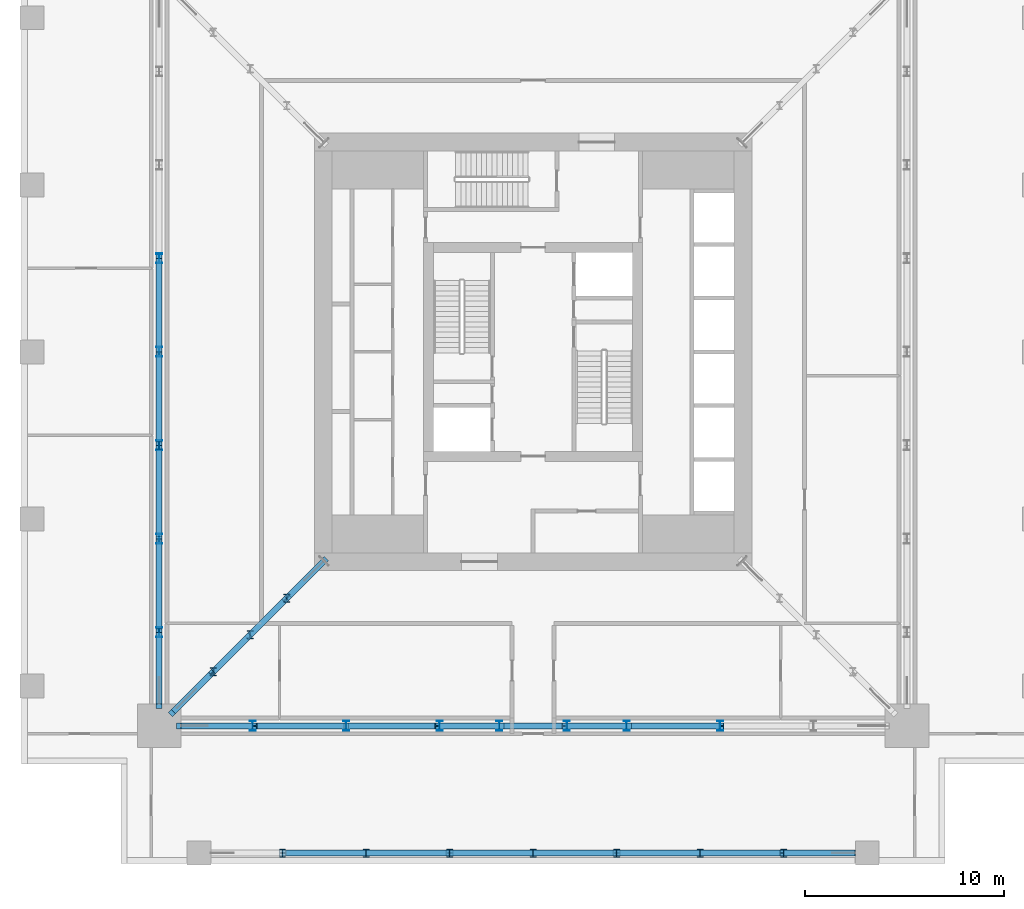
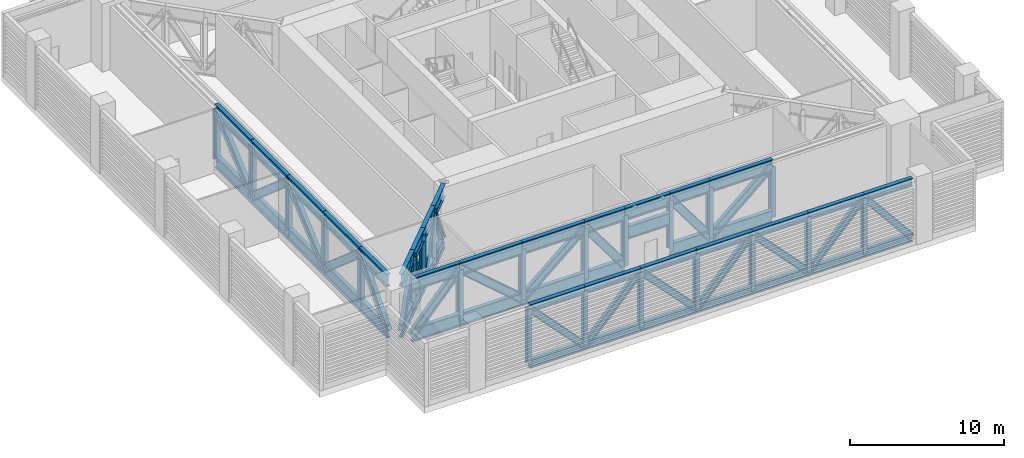
# One storey, part 2 of 16: 90 members.
"""IFC4 building model written with IfcOpenShell, lengths in metres."""

from ifc_helpers import new_model, si_unit, direction, frame, origin, origin_2d, place, context, subcontext, project, spatial, i_section, extrude, material, material_profile, profile_set, type_object, element, save


model = new_model("IFC4")

# Units and contexts
model_context = context("Model", 3, precision=1e-05, world=origin(), true_north=direction((0.0, 1.0)))
body_context = subcontext(model_context, "Body", "Model", "MODEL_VIEW")
ifc_project = project(units=[si_unit("LENGTHUNIT", "METRE"), si_unit("AREAUNIT", "SQUARE_METRE"), si_unit("VOLUMEUNIT", "CUBIC_METRE"), si_unit("PLANEANGLEUNIT", "RADIAN"), si_unit("MASSUNIT", "GRAM", prefix="KILO")], contexts=[model_context])

# Site, building, storey
site_placement = place(None, origin())
site = spatial("IfcSite", under=ifc_project, at=site_placement, CompositionType="ELEMENT")
building_placement = place(site_placement, origin())
building = spatial("IfcBuilding", under=site, at=building_placement, Name="Khepri Terraces", CompositionType="ELEMENT")
storey_placement = place(building_placement, frame((0.0, 0.0, 287.39990234375)))
storey = spatial("IfcBuildingStorey", under=building, at=storey_placement, Name="L69", CompositionType="ELEMENT", Elevation=287.39990234375)

# Members
ifc_material = material(Name="Steel S355", Category="steel")
ifc_material_profile_1 = material_profile(ifc_material, i_section(OverallWidth=0.302001953125, OverallDepth=1.008056640625, WebThickness=0.02099609375, FlangeThickness=0.0400390625, FilletRadius=0.030029296875, at=origin_2d()), Name="Steel S355", Category="steel")
ifc_profile_set_1 = profile_set([ifc_material_profile_1], Name="Steel S355")
member_type_1 = type_object("IfcMemberType", Name="Belt truss chord HEM 1000", PredefinedType="CHORD", material=ifc_profile_set_1)
for number, where, z_axis, x_axis, name in (
    (1, (-17.699951171875, -18.800048828125, 0.504150390625), (1.0, 0.0, 0.0), (0.0, 1.0, 0.0), "Belt truss chord BT-69-S bottom 1"),
    (2, (-17.699951171875, -18.800048828125, 4.546142578125), (1.0, 0.0, 0.0), (0.0, 1.0, 0.0), "Belt truss chord BT-69-S top 1"),
):
    element("IfcMember", number, at=place(storey_placement, frame(where, z_axis=z_axis, x_axis=x_axis)), inside=storey, type_object=member_type_1, Name=name, PredefinedType="CHORD", context=body_context, shape_type="SweptSolid", body=[
        extrude(i_section(OverallWidth=0.302001953125, OverallDepth=1.008056640625, WebThickness=0.02099609375, FlangeThickness=0.0400390625, FilletRadius=0.030029296875, at=origin_2d()), origin(), (0.0, 0.0, 1.0), 3.599853515625),
    ])
for number, where, z_axis, x_axis, name in (
    (3, (-14.10009765625, -18.800048828125, 0.504150390625), (1.0, 0.0, 0.0), (0.0, 1.0, 0.0), "Belt truss chord BT-69-S bottom 2"),
    (4, (-14.10009765625, -18.800048828125, 4.546142578125), (1.0, 0.0, 0.0), (0.0, 1.0, 0.0), "Belt truss chord BT-69-S top 2"),
):
    element("IfcMember", number, at=place(storey_placement, frame(where, z_axis=z_axis, x_axis=x_axis)), inside=storey, type_object=member_type_1, Name=name, PredefinedType="CHORD", context=body_context, shape_type="SweptSolid", body=[
        extrude(i_section(OverallWidth=0.302001953125, OverallDepth=1.008056640625, WebThickness=0.02099609375, FlangeThickness=0.0400390625, FilletRadius=0.030029296875, at=origin_2d()), origin(), (0.0, 0.0, 1.0), 4.7001953125),
    ])
for number, where, z_axis, x_axis, name in (
    (5, (-9.39990234375, -18.800048828125, 0.504150390625), (1.0, 0.0, 0.0), (0.0, 1.0, 0.0), "Belt truss chord BT-69-S bottom 3"),
    (6, (-9.39990234375, -18.800048828125, 4.546142578125), (1.0, 0.0, 0.0), (0.0, 1.0, 0.0), "Belt truss chord BT-69-S top 3"),
):
    element("IfcMember", number, at=place(storey_placement, frame(where, z_axis=z_axis, x_axis=x_axis)), inside=storey, type_object=member_type_1, Name=name, PredefinedType="CHORD", context=body_context, shape_type="SweptSolid", body=[
        extrude(i_section(OverallWidth=0.302001953125, OverallDepth=1.008056640625, WebThickness=0.02099609375, FlangeThickness=0.0400390625, FilletRadius=0.030029296875, at=origin_2d()), origin(), (0.0, 0.0, 1.0), 4.699951171875),
    ])
for number, where, z_axis, x_axis, name in (
    (7, (-4.699951171875, -18.800048828125, 0.504150390625), (1.0, 0.0, 0.0), (0.0, 1.0, 0.0), "Belt truss chord BT-69-S bottom 4"),
    (8, (-4.699951171875, -18.800048828125, 4.546142578125), (1.0, 0.0, 0.0), (0.0, 1.0, 0.0), "Belt truss chord BT-69-S top 4"),
):
    element("IfcMember", number, at=place(storey_placement, frame(where, z_axis=z_axis, x_axis=x_axis)), inside=storey, type_object=member_type_1, Name=name, PredefinedType="CHORD", context=body_context, shape_type="SweptSolid", body=[
        extrude(i_section(OverallWidth=0.302001953125, OverallDepth=1.008056640625, WebThickness=0.02099609375, FlangeThickness=0.0400390625, FilletRadius=0.030029296875, at=origin_2d()), origin(), (0.0, 0.0, 1.0), 3.0),
    ])
for number, where, z_axis, x_axis, name in (
    (9, (-1.699951171875, -18.800048828125, 3.004150390625), (1.0, 0.0, 0.0), (0.0, 1.0, 0.0), "Belt truss chord BT-69-S bottom 5"),
    (10, (-1.699951171875, -18.800048828125, 4.546142578125), (1.0, 0.0, 0.0), (0.0, 1.0, 0.0), "Belt truss chord BT-69-S top 5"),
):
    element("IfcMember", number, at=place(storey_placement, frame(where, z_axis=z_axis, x_axis=x_axis)), inside=storey, type_object=member_type_1, Name=name, PredefinedType="CHORD", context=body_context, shape_type="SweptSolid", body=[
        extrude(i_section(OverallWidth=0.302001953125, OverallDepth=1.008056640625, WebThickness=0.02099609375, FlangeThickness=0.0400390625, FilletRadius=0.030029296875, at=origin_2d()), origin(), (0.0, 0.0, 1.0), 3.39990234375),
    ])
for number, where, z_axis, x_axis, name in (
    (11, (1.699951171875, -18.800048828125, 0.504150390625), (1.0, 0.0, 0.0), (0.0, 1.0, 0.0), "Belt truss chord BT-69-S bottom 6"),
    (12, (1.699951171875, -18.800048828125, 4.546142578125), (1.0, 0.0, 0.0), (0.0, 1.0, 0.0), "Belt truss chord BT-69-S top 6"),
):
    element("IfcMember", number, at=place(storey_placement, frame(where, z_axis=z_axis, x_axis=x_axis)), inside=storey, type_object=member_type_1, Name=name, PredefinedType="CHORD", context=body_context, shape_type="SweptSolid", body=[
        extrude(i_section(OverallWidth=0.302001953125, OverallDepth=1.008056640625, WebThickness=0.02099609375, FlangeThickness=0.0400390625, FilletRadius=0.030029296875, at=origin_2d()), origin(), (0.0, 0.0, 1.0), 3.0),
    ])
for number, where, z_axis, x_axis, name in (
    (13, (4.699951171875, -18.800048828125, 0.504150390625), (1.0, 0.0, 0.0), (0.0, 1.0, 0.0), "Belt truss chord BT-69-S bottom 7"),
    (14, (4.699951171875, -18.800048828125, 4.546142578125), (1.0, 0.0, 0.0), (0.0, 1.0, 0.0), "Belt truss chord BT-69-S top 7"),
    (15, (-18.800048828125, 4.699951171875, 0.504150390625), (0.0, -1.0, 0.0), (1.0, 0.0, 0.0), "Belt truss chord BT-69-W bottom 4"),
    (16, (-18.800048828125, 4.699951171875, 4.546142578125), (0.0, -1.0, 0.0), (1.0, 0.0, 0.0), "Belt truss chord BT-69-W top 4"),
    (17, (-18.800048828125, 0.0, 0.504150390625), (0.0, -1.0, 0.0), (1.0, 0.0, 0.0), "Belt truss chord BT-69-W bottom 5"),
    (18, (-18.800048828125, 0.0, 4.546142578125), (0.0, -1.0, 0.0), (1.0, 0.0, 0.0), "Belt truss chord BT-69-W top 5"),
    (19, (-18.800048828125, -4.699951171875, 0.504150390625), (0.0, -1.0, 0.0), (1.0, 0.0, 0.0), "Belt truss chord BT-69-W bottom 6"),
    (20, (-18.800048828125, -4.699951171875, 4.546142578125), (0.0, -1.0, 0.0), (1.0, 0.0, 0.0), "Belt truss chord BT-69-W top 6"),
):
    element("IfcMember", number, at=place(storey_placement, frame(where, z_axis=z_axis, x_axis=x_axis)), inside=storey, type_object=member_type_1, Name=name, PredefinedType="CHORD", context=body_context, shape_type="SweptSolid", body=[
        extrude(i_section(OverallWidth=0.302001953125, OverallDepth=1.008056640625, WebThickness=0.02099609375, FlangeThickness=0.0400390625, FilletRadius=0.030029296875, at=origin_2d()), origin(), (0.0, 0.0, 1.0), 4.699951171875),
    ])
for number, where, z_axis, x_axis, name in (
    (21, (-18.800048828125, -9.39990234375, 0.504150390625), (0.0, -1.0, 0.0), (1.0, 0.0, 0.0), "Belt truss chord BT-69-W bottom 7"),
    (22, (-18.800048828125, -9.39990234375, 4.546142578125), (0.0, -1.0, 0.0), (1.0, 0.0, 0.0), "Belt truss chord BT-69-W top 7"),
):
    element("IfcMember", number, at=place(storey_placement, frame(where, z_axis=z_axis, x_axis=x_axis)), inside=storey, type_object=member_type_1, Name=name, PredefinedType="CHORD", context=body_context, shape_type="SweptSolid", body=[
        extrude(i_section(OverallWidth=0.302001953125, OverallDepth=1.008056640625, WebThickness=0.02099609375, FlangeThickness=0.0400390625, FilletRadius=0.030029296875, at=origin_2d()), origin(), (0.0, 0.0, 1.0), 4.7001953125),
    ])
for number, where, z_axis, x_axis, name in (
    (23, (-18.800048828125, -14.10009765625, 0.504150390625), (0.0, -1.0, 0.0), (1.0, 0.0, 0.0), "Belt truss chord BT-69-W bottom 8"),
    (24, (-18.800048828125, -14.10009765625, 4.546142578125), (0.0, -1.0, 0.0), (1.0, 0.0, 0.0), "Belt truss chord BT-69-W top 8"),
):
    element("IfcMember", number, at=place(storey_placement, frame(where, z_axis=z_axis, x_axis=x_axis)), inside=storey, type_object=member_type_1, Name=name, PredefinedType="CHORD", context=body_context, shape_type="SweptSolid", body=[
        extrude(i_section(OverallWidth=0.302001953125, OverallDepth=1.008056640625, WebThickness=0.02099609375, FlangeThickness=0.0400390625, FilletRadius=0.030029296875, at=origin_2d()), origin(), (0.0, 0.0, 1.0), 3.599853515625),
    ])
ifc_material_profile_2 = material_profile(ifc_material, i_section(OverallWidth=0.304931640625, OverallDepth=0.6201171875, WebThickness=0.02099609375, FlangeThickness=0.0400390625, FilletRadius=0.027099609375, at=origin_2d()), Name="Steel S355", Category="steel")
ifc_profile_set_2 = profile_set([ifc_material_profile_2], Name="Steel S355")
member_type_2 = type_object("IfcMemberType", Name="Belt truss diagonal HEM 600", PredefinedType="BRACE", material=ifc_profile_set_2)
member_1_placement = place(storey_placement, frame((-17.699951171875, -18.800048828125, 0.504150390625), z_axis=(0.665083044122, 0.0, 0.746769405119), x_axis=(0.0, 1.0, 0.0)))
element("IfcMember", 25, at=member_1_placement, inside=storey, type_object=member_type_2, Name="Belt truss diagonal BT-69-S 1", PredefinedType="BRACE", context=body_context, shape_type="SweptSolid", body=[
    extrude(i_section(OverallWidth=0.304931640625, OverallDepth=0.6201171875, WebThickness=0.02099609375, FlangeThickness=0.0400390625, FilletRadius=0.027099609375, at=origin_2d()), origin(), (0.0, 0.0, 1.0), 5.41259765625),
])
member_2_placement = place(storey_placement, frame((-14.10009765625, -18.800048828125, 4.546142578125), z_axis=(0.758199214232, 0.0, -0.652022968566), x_axis=(0.0, 1.0, 0.0)))
element("IfcMember", 26, at=member_2_placement, inside=storey, type_object=member_type_2, Name="Belt truss diagonal BT-69-S 2", PredefinedType="BRACE", context=body_context, shape_type="SweptSolid", body=[
    extrude(i_section(OverallWidth=0.304931640625, OverallDepth=0.6201171875, WebThickness=0.02099609375, FlangeThickness=0.0400390625, FilletRadius=0.027099609375, at=origin_2d()), origin(), (0.0, 0.0, 1.0), 6.19921875),
])
member_3_placement = place(storey_placement, frame((-9.39990234375, -18.800048828125, 0.504150390625), z_axis=(0.758182470483, 0.0, 0.652042438383), x_axis=(0.0, 1.0, 0.0)))
element("IfcMember", 27, at=member_3_placement, inside=storey, type_object=member_type_2, Name="Belt truss diagonal BT-69-S 3", PredefinedType="BRACE", context=body_context, shape_type="SweptSolid", body=[
    extrude(i_section(OverallWidth=0.304931640625, OverallDepth=0.6201171875, WebThickness=0.02099609375, FlangeThickness=0.0400390625, FilletRadius=0.027099609375, at=origin_2d()), origin(), (0.0, 0.0, 1.0), 6.198974609375),
])
for number, where, z_axis, x_axis, name in (
    (28, (-4.699951171875, -18.800048828125, 4.546142578125), (0.595988188196, 0.0, -0.802993200177), (0.0, 1.0, 0.0), "Belt truss diagonal BT-69-S 4"),
    (29, (1.699951171875, -18.800048828125, 4.546142578125), (0.595988188196, 0.0, -0.802993200177), (0.0, 1.0, 0.0), "Belt truss diagonal BT-69-S 6"),
):
    element("IfcMember", number, at=place(storey_placement, frame(where, z_axis=z_axis, x_axis=x_axis)), inside=storey, type_object=member_type_2, Name=name, PredefinedType="BRACE", context=body_context, shape_type="SweptSolid", body=[
        extrude(i_section(OverallWidth=0.304931640625, OverallDepth=0.6201171875, WebThickness=0.02099609375, FlangeThickness=0.0400390625, FilletRadius=0.027099609375, at=origin_2d()), origin(), (0.0, 0.0, 1.0), 5.03369140625),
    ])
for number, where, z_axis, x_axis, name in (
    (30, (4.699951171875, -18.800048828125, 0.504150390625), (0.758182470483, 0.0, 0.652042438383), (0.0, 1.0, 0.0), "Belt truss diagonal BT-69-S 7"),
    (31, (-18.800048828125, 4.699951171875, 4.546142578125), (0.0, -0.758182470483, -0.652042438383), (1.0, 0.0, 0.0), "Belt truss diagonal BT-69-W 4"),
    (32, (-18.800048828125, 0.0, 0.504150390625), (0.0, -0.758182470483, 0.652042438383), (1.0, 0.0, 0.0), "Belt truss diagonal BT-69-W 5"),
    (33, (-18.800048828125, -4.699951171875, 4.546142578125), (0.0, -0.758182470483, -0.652042438383), (1.0, 0.0, 0.0), "Belt truss diagonal BT-69-W 6"),
):
    element("IfcMember", number, at=place(storey_placement, frame(where, z_axis=z_axis, x_axis=x_axis)), inside=storey, type_object=member_type_2, Name=name, PredefinedType="BRACE", context=body_context, shape_type="SweptSolid", body=[
        extrude(i_section(OverallWidth=0.304931640625, OverallDepth=0.6201171875, WebThickness=0.02099609375, FlangeThickness=0.0400390625, FilletRadius=0.027099609375, at=origin_2d()), origin(), (0.0, 0.0, 1.0), 6.198974609375),
    ])
member_4_placement = place(storey_placement, frame((-18.800048828125, -9.39990234375, 0.504150390625), z_axis=(0.0, -0.758199214232, 0.652022968566), x_axis=(1.0, 0.0, 0.0)))
element("IfcMember", 34, at=member_4_placement, inside=storey, type_object=member_type_2, Name="Belt truss diagonal BT-69-W 7", PredefinedType="BRACE", context=body_context, shape_type="SweptSolid", body=[
    extrude(i_section(OverallWidth=0.304931640625, OverallDepth=0.6201171875, WebThickness=0.02099609375, FlangeThickness=0.0400390625, FilletRadius=0.027099609375, at=origin_2d()), origin(), (0.0, 0.0, 1.0), 6.19921875),
])
member_5_placement = place(storey_placement, frame((-18.800048828125, -14.10009765625, 4.546142578125), z_axis=(0.0, -0.665083044122, -0.746769405119), x_axis=(1.0, 0.0, 0.0)))
element("IfcMember", 35, at=member_5_placement, inside=storey, type_object=member_type_2, Name="Belt truss diagonal BT-69-W 8", PredefinedType="BRACE", context=body_context, shape_type="SweptSolid", body=[
    extrude(i_section(OverallWidth=0.304931640625, OverallDepth=0.6201171875, WebThickness=0.02099609375, FlangeThickness=0.0400390625, FilletRadius=0.027099609375, at=origin_2d()), origin(), (0.0, 0.0, 1.0), 5.41259765625),
])
ifc_material_profile_3 = material_profile(ifc_material, i_section(OverallWidth=0.300048828125, OverallDepth=0.5, WebThickness=0.014404296875, FlangeThickness=0.028076171875, FilletRadius=0.027099609375, at=origin_2d()), Name="Steel S355", Category="steel")
ifc_profile_set_3 = profile_set([ifc_material_profile_3], Name="Steel S355")
member_type_3 = type_object("IfcMemberType", Name="Belt truss post HEB 500", PredefinedType="POST", material=ifc_profile_set_3)
for number, where, z_axis, x_axis, name in (
    (36, (-14.10009765625, -18.800048828125, 0.504150390625), (0.0, 0.0, 1.0), (1.0, 0.0, 0.0), "Belt truss post BT-69-S 1"),
    (37, (-9.39990234375, -18.800048828125, 0.504150390625), (0.0, 0.0, 1.0), (1.0, 0.0, 0.0), "Belt truss post BT-69-S 2"),
    (38, (-4.699951171875, -18.800048828125, 0.504150390625), (0.0, 0.0, 1.0), (1.0, 0.0, 0.0), "Belt truss post BT-69-S 3"),
    (39, (-1.699951171875, -18.800048828125, 0.504150390625), (0.0, 0.0, 1.0), (1.0, 0.0, 0.0), "Belt truss post BT-69-S 4"),
    (40, (1.699951171875, -18.800048828125, 0.504150390625), (0.0, 0.0, 1.0), (1.0, 0.0, 0.0), "Belt truss post BT-69-S 5"),
    (41, (4.699951171875, -18.800048828125, 0.504150390625), (0.0, 0.0, 1.0), (1.0, 0.0, 0.0), "Belt truss post BT-69-S 6"),
    (42, (9.39990234375, -18.800048828125, 0.504150390625), (0.0, 0.0, 1.0), (1.0, 0.0, 0.0), "Belt truss post BT-69-S 7"),
    (43, (-18.800048828125, 4.699951171875, 0.504150390625), (0.0, 0.0, 1.0), (1.0, 0.0, 0.0), "Belt truss post BT-69-W 3"),
    (44, (-18.800048828125, 0.0, 0.504150390625), (0.0, 0.0, 1.0), (1.0, 0.0, 0.0), "Belt truss post BT-69-W 4"),
    (45, (-18.800048828125, -4.699951171875, 0.504150390625), (0.0, 0.0, 1.0), (1.0, 0.0, 0.0), "Belt truss post BT-69-W 5"),
    (46, (-18.800048828125, -9.39990234375, 0.504150390625), (0.0, 0.0, 1.0), (1.0, 0.0, 0.0), "Belt truss post BT-69-W 6"),
    (47, (-18.800048828125, -14.10009765625, 0.504150390625), (0.0, 0.0, 1.0), (1.0, 0.0, 0.0), "Belt truss post BT-69-W 7"),
):
    element("IfcMember", number, at=place(storey_placement, frame(where, z_axis=z_axis, x_axis=x_axis)), inside=storey, type_object=member_type_3, Name=name, PredefinedType="POST", context=body_context, shape_type="SweptSolid", body=[
        extrude(i_section(OverallWidth=0.300048828125, OverallDepth=0.5, WebThickness=0.014404296875, FlangeThickness=0.028076171875, FilletRadius=0.027099609375, at=origin_2d()), origin(), (0.0, 0.0, 1.0), 4.0419921875),
    ])
ifc_material_profile_4 = material_profile(ifc_material, i_section(OverallWidth=0.302001953125, OverallDepth=1.008056640625, WebThickness=0.02099609375, FlangeThickness=0.0400390625, FilletRadius=0.030029296875, at=origin_2d()), Name="Steel S355", Category="steel")
ifc_profile_set_4 = profile_set([ifc_material_profile_4], Name="Steel S355")
member_type_4 = type_object("IfcMemberType", Name="Outrigger chord HEM 1000", PredefinedType="CHORD", material=ifc_profile_set_4)
for number, where, z_axis, x_axis, name in (
    (48, (-10.550048828125, -10.550048828125, 0.504150390625), (-0.707106781187, -0.707106781187, 0.0), (0.707106781187, -0.707106781187, 0.0), "Outrigger chord OT-69-WS bottom 1"),
    (49, (-10.550048828125, -10.550048828125, 4.546142578125), (-0.707106781187, -0.707106781187, 0.0), (0.707106781187, -0.707106781187, 0.0), "Outrigger chord OT-69-WS top 1"),
):
    element("IfcMember", number, at=place(storey_placement, frame(where, z_axis=z_axis, x_axis=x_axis)), inside=storey, type_object=member_type_4, Name=name, PredefinedType="CHORD", context=body_context, shape_type="SweptSolid", body=[
        extrude(i_section(OverallWidth=0.302001953125, OverallDepth=1.008056640625, WebThickness=0.02099609375, FlangeThickness=0.0400390625, FilletRadius=0.030029296875, at=origin_2d()), origin(), (0.0, 0.0, 1.0), 2.6025390625),
    ])
for number, where, z_axis, x_axis, name in (
    (50, (-12.390380859375, -12.390380859375, 0.504150390625), (-0.707106781187, -0.707106781187, 0.0), (0.707106781187, -0.707106781187, 0.0), "Outrigger chord OT-69-WS bottom 2"),
    (51, (-12.390380859375, -12.390380859375, 4.546142578125), (-0.707106781187, -0.707106781187, 0.0), (0.707106781187, -0.707106781187, 0.0), "Outrigger chord OT-69-WS top 2"),
):
    element("IfcMember", number, at=place(storey_placement, frame(where, z_axis=z_axis, x_axis=x_axis)), inside=storey, type_object=member_type_4, Name=name, PredefinedType="CHORD", context=body_context, shape_type="SweptSolid", body=[
        extrude(i_section(OverallWidth=0.302001953125, OverallDepth=1.008056640625, WebThickness=0.02099609375, FlangeThickness=0.0400390625, FilletRadius=0.030029296875, at=origin_2d()), origin(), (0.0, 0.0, 1.0), 2.603271484375),
    ])
for number, where, z_axis, x_axis, name in (
    (52, (-14.231201171875, -14.231201171875, 0.504150390625), (-0.707106781187, -0.707106781187, 0.0), (0.707106781187, -0.707106781187, 0.0), "Outrigger chord OT-69-WS bottom 3"),
    (53, (-14.231201171875, -14.231201171875, 4.546142578125), (-0.707106781187, -0.707106781187, 0.0), (0.707106781187, -0.707106781187, 0.0), "Outrigger chord OT-69-WS top 3"),
):
    element("IfcMember", number, at=place(storey_placement, frame(where, z_axis=z_axis, x_axis=x_axis)), inside=storey, type_object=member_type_4, Name=name, PredefinedType="CHORD", context=body_context, shape_type="SweptSolid", body=[
        extrude(i_section(OverallWidth=0.302001953125, OverallDepth=1.008056640625, WebThickness=0.02099609375, FlangeThickness=0.0400390625, FilletRadius=0.030029296875, at=origin_2d()), origin(), (0.0, 0.0, 1.0), 2.6025390625),
    ])
for number, where, z_axis, x_axis, name in (
    (54, (-16.071533203125, -16.071533203125, 0.504150390625), (-0.707106781187, -0.707106781187, 0.0), (0.707106781187, -0.707106781187, 0.0), "Outrigger chord OT-69-WS bottom 4"),
    (55, (-16.071533203125, -16.071533203125, 4.546142578125), (-0.707106781187, -0.707106781187, 0.0), (0.707106781187, -0.707106781187, 0.0), "Outrigger chord OT-69-WS top 4"),
):
    element("IfcMember", number, at=place(storey_placement, frame(where, z_axis=z_axis, x_axis=x_axis)), inside=storey, type_object=member_type_4, Name=name, PredefinedType="CHORD", context=body_context, shape_type="SweptSolid", body=[
        extrude(i_section(OverallWidth=0.302001953125, OverallDepth=1.008056640625, WebThickness=0.02099609375, FlangeThickness=0.0400390625, FilletRadius=0.030029296875, at=origin_2d()), origin(), (0.0, 0.0, 1.0), 2.85888671875),
    ])
ifc_material_profile_5 = material_profile(ifc_material, i_section(OverallWidth=0.305908203125, OverallDepth=0.52392578125, WebThickness=0.02099609375, FlangeThickness=0.0400390625, FilletRadius=0.027099609375, at=origin_2d()), Name="Steel S355", Category="steel")
ifc_profile_set_5 = profile_set([ifc_material_profile_5], Name="Steel S355")
member_type_5 = type_object("IfcMemberType", Name="Outrigger diagonal HEM 500", PredefinedType="BRACE", material=ifc_profile_set_5)
member_6_placement = place(storey_placement, frame((-10.550048828125, -10.550048828125, 0.504150390625), z_axis=(-0.382810266556, -0.382810266556, 0.840780946286), x_axis=(0.707106781187, -0.707106781187, 0.0)))
element("IfcMember", 56, at=member_6_placement, inside=storey, type_object=member_type_5, Name="Outrigger diagonal OT-69-WS 1", PredefinedType="BRACE", context=body_context, shape_type="SweptSolid", body=[
    extrude(i_section(OverallWidth=0.305908203125, OverallDepth=0.52392578125, WebThickness=0.02099609375, FlangeThickness=0.0400390625, FilletRadius=0.027099609375, at=origin_2d()), origin(), (0.0, 0.0, 1.0), 4.807373046875),
])
member_7_placement = place(storey_placement, frame((-12.390380859375, -12.390380859375, 4.546142578125), z_axis=(-0.38288205797, -0.38288205797, -0.840715563892), x_axis=(0.707106781187, -0.707106781187, 0.0)))
element("IfcMember", 57, at=member_7_placement, inside=storey, type_object=member_type_5, Name="Outrigger diagonal OT-69-WS 2", PredefinedType="BRACE", context=body_context, shape_type="SweptSolid", body=[
    extrude(i_section(OverallWidth=0.305908203125, OverallDepth=0.52392578125, WebThickness=0.02099609375, FlangeThickness=0.0400390625, FilletRadius=0.027099609375, at=origin_2d()), origin(), (0.0, 0.0, 1.0), 4.807861328125),
])
member_8_placement = place(storey_placement, frame((-14.231201171875, -14.231201171875, 0.504150390625), z_axis=(-0.382810266556, -0.382810266556, 0.840780946286), x_axis=(0.707106781187, -0.707106781187, 0.0)))
element("IfcMember", 58, at=member_8_placement, inside=storey, type_object=member_type_5, Name="Outrigger diagonal OT-69-WS 3", PredefinedType="BRACE", context=body_context, shape_type="SweptSolid", body=[
    extrude(i_section(OverallWidth=0.305908203125, OverallDepth=0.52392578125, WebThickness=0.02099609375, FlangeThickness=0.0400390625, FilletRadius=0.027099609375, at=origin_2d()), origin(), (0.0, 0.0, 1.0), 4.807373046875),
])
member_9_placement = place(storey_placement, frame((-16.071533203125, -16.071533203125, 4.546142578125), z_axis=(-0.408314038869, -0.408314038869, -0.81643082458), x_axis=(0.707106781187, -0.707106781187, 0.0)))
element("IfcMember", 59, at=member_9_placement, inside=storey, type_object=member_type_5, Name="Outrigger diagonal OT-69-WS 4", PredefinedType="BRACE", context=body_context, shape_type="SweptSolid", body=[
    extrude(i_section(OverallWidth=0.305908203125, OverallDepth=0.52392578125, WebThickness=0.02099609375, FlangeThickness=0.0400390625, FilletRadius=0.027099609375, at=origin_2d()), origin(), (0.0, 0.0, 1.0), 4.950927734375),
])
ifc_material_profile_6 = material_profile(ifc_material, i_section(OverallWidth=0.300048828125, OverallDepth=0.39990234375, WebThickness=0.013427734375, FlangeThickness=0.02392578125, FilletRadius=0.027099609375, at=origin_2d()), Name="Steel S355", Category="steel")
ifc_profile_set_6 = profile_set([ifc_material_profile_6], Name="Steel S355")
member_type_6 = type_object("IfcMemberType", Name="Outrigger post HEB 400", PredefinedType="POST", material=ifc_profile_set_6)
for number, where, z_axis, x_axis, name in (
    (60, (-12.390380859375, -12.390380859375, 0.504150390625), (0.0, 0.0, 1.0), (1.0, 0.0, 0.0), "Outrigger post OT-69-WS 1"),
    (61, (-14.231201171875, -14.231201171875, 0.504150390625), (0.0, 0.0, 1.0), (1.0, 0.0, 0.0), "Outrigger post OT-69-WS 2"),
    (62, (-16.071533203125, -16.071533203125, 0.504150390625), (0.0, 0.0, 1.0), (1.0, 0.0, 0.0), "Outrigger post OT-69-WS 3"),
):
    element("IfcMember", number, at=place(storey_placement, frame(where, z_axis=z_axis, x_axis=x_axis)), inside=storey, type_object=member_type_6, Name=name, PredefinedType="POST", context=body_context, shape_type="SweptSolid", body=[
        extrude(i_section(OverallWidth=0.300048828125, OverallDepth=0.39990234375, WebThickness=0.013427734375, FlangeThickness=0.02392578125, FilletRadius=0.027099609375, at=origin_2d()), origin(), (0.0, 0.0, 1.0), 4.0419921875),
    ])
ifc_material_profile_7 = material_profile(ifc_material, i_section(OverallWidth=0.304931640625, OverallDepth=0.6201171875, WebThickness=0.02099609375, FlangeThickness=0.0400390625, FilletRadius=0.027099609375, at=origin_2d()), Name="Steel S355", Category="steel")
ifc_profile_set_7 = profile_set([ifc_material_profile_7], Name="Steel S355")
member_type_7 = type_object("IfcMemberType", Name="Transfer truss chord HEM 600", PredefinedType="CHORD", material=ifc_profile_set_7)
for number, where, z_axis, x_axis, name in (
    (63, (-12.60009765625, -25.199951171875, 0.31005859375), (1.0, 0.0, 0.0), (0.0, 1.0, 0.0), "Transfer truss chord TT-69-S bottom 2"),
    (64, (-12.60009765625, -25.199951171875, 4.739990234375), (1.0, 0.0, 0.0), (0.0, 1.0, 0.0), "Transfer truss chord TT-69-S top 2"),
):
    element("IfcMember", number, at=place(storey_placement, frame(where, z_axis=z_axis, x_axis=x_axis)), inside=storey, type_object=member_type_7, Name=name, PredefinedType="CHORD", context=body_context, shape_type="SweptSolid", body=[
        extrude(i_section(OverallWidth=0.304931640625, OverallDepth=0.6201171875, WebThickness=0.02099609375, FlangeThickness=0.0400390625, FilletRadius=0.027099609375, at=origin_2d()), origin(), (0.0, 0.0, 1.0), 4.2001953125),
    ])
for number, where, z_axis, x_axis, name in (
    (65, (-8.39990234375, -25.199951171875, 0.31005859375), (1.0, 0.0, 0.0), (0.0, 1.0, 0.0), "Transfer truss chord TT-69-S bottom 3"),
    (66, (-8.39990234375, -25.199951171875, 4.739990234375), (1.0, 0.0, 0.0), (0.0, 1.0, 0.0), "Transfer truss chord TT-69-S top 3"),
    (67, (-4.199951171875, -25.199951171875, 0.31005859375), (1.0, 0.0, 0.0), (0.0, 1.0, 0.0), "Transfer truss chord TT-69-S bottom 4"),
    (68, (-4.199951171875, -25.199951171875, 4.739990234375), (1.0, 0.0, 0.0), (0.0, 1.0, 0.0), "Transfer truss chord TT-69-S top 4"),
    (69, (0.0, -25.199951171875, 0.31005859375), (1.0, 0.0, 0.0), (0.0, 1.0, 0.0), "Transfer truss chord TT-69-S bottom 5"),
    (70, (0.0, -25.199951171875, 4.739990234375), (1.0, 0.0, 0.0), (0.0, 1.0, 0.0), "Transfer truss chord TT-69-S top 5"),
    (71, (4.199951171875, -25.199951171875, 0.31005859375), (1.0, 0.0, 0.0), (0.0, 1.0, 0.0), "Transfer truss chord TT-69-S bottom 6"),
    (72, (4.199951171875, -25.199951171875, 4.739990234375), (1.0, 0.0, 0.0), (0.0, 1.0, 0.0), "Transfer truss chord TT-69-S top 6"),
):
    element("IfcMember", number, at=place(storey_placement, frame(where, z_axis=z_axis, x_axis=x_axis)), inside=storey, type_object=member_type_7, Name=name, PredefinedType="CHORD", context=body_context, shape_type="SweptSolid", body=[
        extrude(i_section(OverallWidth=0.304931640625, OverallDepth=0.6201171875, WebThickness=0.02099609375, FlangeThickness=0.0400390625, FilletRadius=0.027099609375, at=origin_2d()), origin(), (0.0, 0.0, 1.0), 4.199951171875),
    ])
for number, where, z_axis, x_axis, name in (
    (73, (8.39990234375, -25.199951171875, 0.31005859375), (1.0, 0.0, 0.0), (0.0, 1.0, 0.0), "Transfer truss chord TT-69-S bottom 7"),
    (74, (8.39990234375, -25.199951171875, 4.739990234375), (1.0, 0.0, 0.0), (0.0, 1.0, 0.0), "Transfer truss chord TT-69-S top 7"),
):
    element("IfcMember", number, at=place(storey_placement, frame(where, z_axis=z_axis, x_axis=x_axis)), inside=storey, type_object=member_type_7, Name=name, PredefinedType="CHORD", context=body_context, shape_type="SweptSolid", body=[
        extrude(i_section(OverallWidth=0.304931640625, OverallDepth=0.6201171875, WebThickness=0.02099609375, FlangeThickness=0.0400390625, FilletRadius=0.027099609375, at=origin_2d()), origin(), (0.0, 0.0, 1.0), 4.2001953125),
    ])
for number, where, z_axis, x_axis, name in (
    (75, (12.60009765625, -25.199951171875, 0.31005859375), (1.0, 0.0, 0.0), (0.0, 1.0, 0.0), "Transfer truss chord TT-69-S bottom 8"),
    (76, (12.60009765625, -25.199951171875, 4.739990234375), (1.0, 0.0, 0.0), (0.0, 1.0, 0.0), "Transfer truss chord TT-69-S top 8"),
):
    element("IfcMember", number, at=place(storey_placement, frame(where, z_axis=z_axis, x_axis=x_axis)), inside=storey, type_object=member_type_7, Name=name, PredefinedType="CHORD", context=body_context, shape_type="SweptSolid", body=[
        extrude(i_section(OverallWidth=0.304931640625, OverallDepth=0.6201171875, WebThickness=0.02099609375, FlangeThickness=0.0400390625, FilletRadius=0.027099609375, at=origin_2d()), origin(), (0.0, 0.0, 1.0), 3.599853515625),
    ])
ifc_material_profile_8 = material_profile(ifc_material, i_section(OverallWidth=0.300048828125, OverallDepth=0.489990234375, WebThickness=0.011962890625, FlangeThickness=0.02294921875, FilletRadius=0.027099609375, at=origin_2d()), Name="Steel S355", Category="steel")
ifc_profile_set_8 = profile_set([ifc_material_profile_8], Name="Steel S355")
member_type_8 = type_object("IfcMemberType", Name="Transfer truss diagonal HEA 500", PredefinedType="BRACE", material=ifc_profile_set_8)
for number, where, z_axis, x_axis, name in (
    (77, (-12.60009765625, -25.199951171875, 4.739990234375), (0.688039663579, 0.0, -0.725673081588), (0.0, 1.0, 0.0), "Transfer truss diagonal TT-69-S 2"),
    (78, (-8.39990234375, -25.199951171875, 0.31005859375), (0.688018602336, 0.0, 0.725693050014), (0.0, 1.0, 0.0), "Transfer truss diagonal TT-69-S 3"),
    (79, (-4.199951171875, -25.199951171875, 4.739990234375), (0.688018602336, 0.0, -0.725693050014), (0.0, 1.0, 0.0), "Transfer truss diagonal TT-69-S 4"),
    (80, (0.0, -25.199951171875, 0.31005859375), (0.688018602336, 0.0, 0.725693050014), (0.0, 1.0, 0.0), "Transfer truss diagonal TT-69-S 5"),
    (81, (4.199951171875, -25.199951171875, 4.739990234375), (0.688018602336, 0.0, -0.725693050014), (0.0, 1.0, 0.0), "Transfer truss diagonal TT-69-S 6"),
    (82, (8.39990234375, -25.199951171875, 0.31005859375), (0.688039663579, 0.0, 0.725673081588), (0.0, 1.0, 0.0), "Transfer truss diagonal TT-69-S 7"),
):
    element("IfcMember", number, at=place(storey_placement, frame(where, z_axis=z_axis, x_axis=x_axis)), inside=storey, type_object=member_type_8, Name=name, PredefinedType="BRACE", context=body_context, shape_type="SweptSolid", body=[
        extrude(i_section(OverallWidth=0.300048828125, OverallDepth=0.489990234375, WebThickness=0.011962890625, FlangeThickness=0.02294921875, FilletRadius=0.027099609375, at=origin_2d()), origin(), (0.0, 0.0, 1.0), 6.1044921875),
    ])
member_10_placement = place(storey_placement, frame((12.60009765625, -25.199951171875, 4.739990234375), z_axis=(0.630648979673, 0.0, -0.776068208624), x_axis=(0.0, 1.0, 0.0)))
element("IfcMember", 83, at=member_10_placement, inside=storey, type_object=member_type_8, Name="Transfer truss diagonal TT-69-S 8", PredefinedType="BRACE", context=body_context, shape_type="SweptSolid", body=[
    extrude(i_section(OverallWidth=0.300048828125, OverallDepth=0.489990234375, WebThickness=0.011962890625, FlangeThickness=0.02294921875, FilletRadius=0.027099609375, at=origin_2d()), origin(), (0.0, 0.0, 1.0), 5.708251953125),
])
ifc_material_profile_9 = material_profile(ifc_material, i_section(OverallWidth=0.300048828125, OverallDepth=0.39990234375, WebThickness=0.013427734375, FlangeThickness=0.02392578125, FilletRadius=0.027099609375, at=origin_2d()), Name="Steel S355", Category="steel")
ifc_profile_set_9 = profile_set([ifc_material_profile_9], Name="Steel S355")
member_type_9 = type_object("IfcMemberType", Name="Transfer truss post HEB 400", PredefinedType="POST", material=ifc_profile_set_9)
for number, where, z_axis, x_axis, name in (
    (84, (-12.60009765625, -25.199951171875, 0.31005859375), (0.0, 0.0, 1.0), (1.0, 0.0, 0.0), "Transfer truss post TT-69-S 1"),
    (85, (-8.39990234375, -25.199951171875, 0.31005859375), (0.0, 0.0, 1.0), (1.0, 0.0, 0.0), "Transfer truss post TT-69-S 2"),
    (86, (-4.199951171875, -25.199951171875, 0.31005859375), (0.0, 0.0, 1.0), (1.0, 0.0, 0.0), "Transfer truss post TT-69-S 3"),
    (87, (0.0, -25.199951171875, 0.31005859375), (0.0, 0.0, 1.0), (1.0, 0.0, 0.0), "Transfer truss post TT-69-S 4"),
    (88, (4.199951171875, -25.199951171875, 0.31005859375), (0.0, 0.0, 1.0), (1.0, 0.0, 0.0), "Transfer truss post TT-69-S 5"),
    (89, (8.39990234375, -25.199951171875, 0.31005859375), (0.0, 0.0, 1.0), (1.0, 0.0, 0.0), "Transfer truss post TT-69-S 6"),
    (90, (12.60009765625, -25.199951171875, 0.31005859375), (0.0, 0.0, 1.0), (1.0, 0.0, 0.0), "Transfer truss post TT-69-S 7"),
):
    element("IfcMember", number, at=place(storey_placement, frame(where, z_axis=z_axis, x_axis=x_axis)), inside=storey, type_object=member_type_9, Name=name, PredefinedType="POST", context=body_context, shape_type="SweptSolid", body=[
        extrude(i_section(OverallWidth=0.300048828125, OverallDepth=0.39990234375, WebThickness=0.013427734375, FlangeThickness=0.02392578125, FilletRadius=0.027099609375, at=origin_2d()), origin(), (0.0, 0.0, 1.0), 4.429931640625),
    ])

save(model, "model.ifc")
